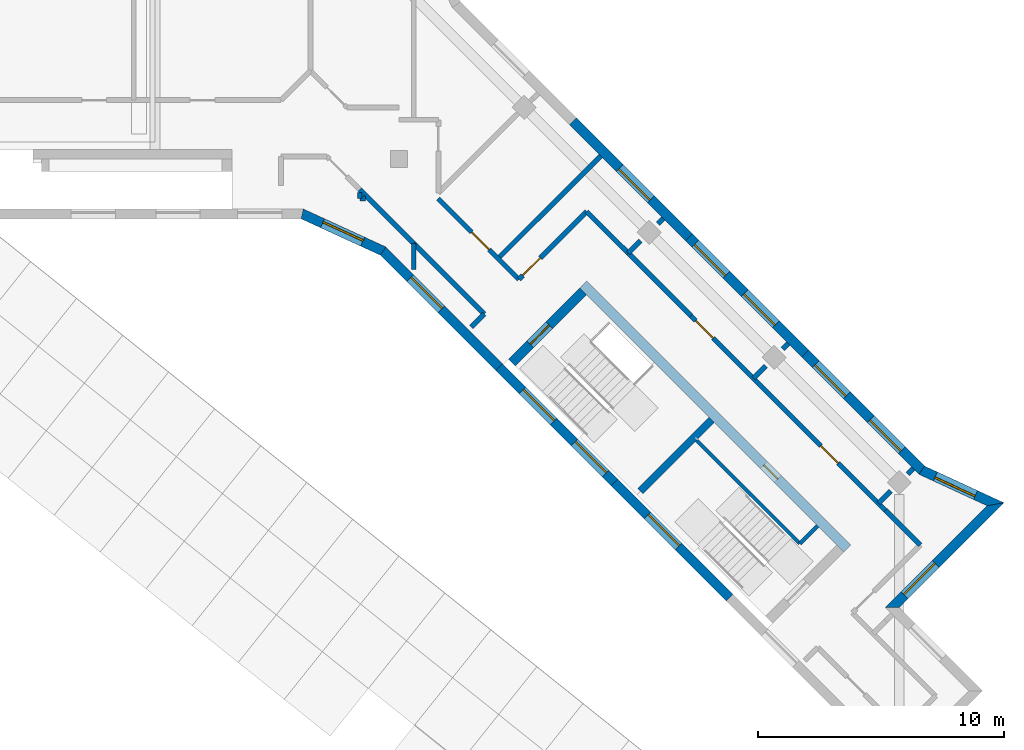
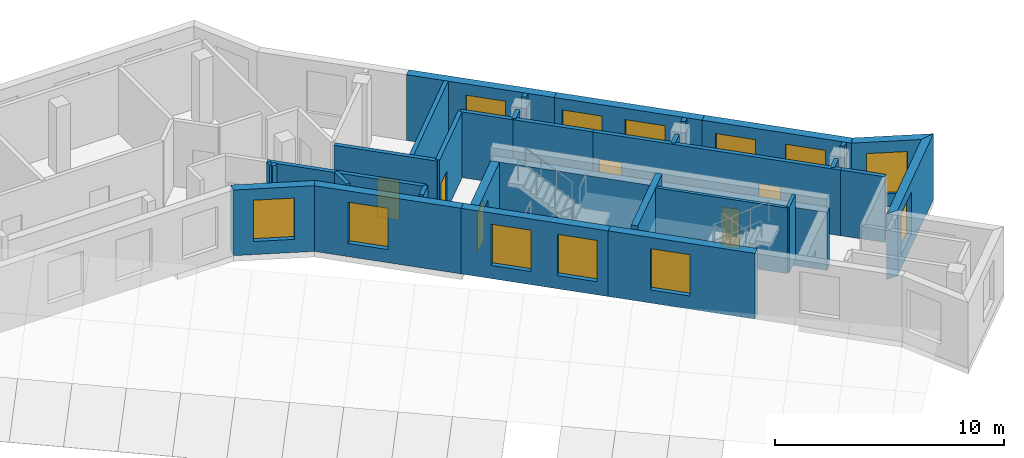
# One storey, part 3 of 6: 33 walls, 12 windows, 6 doors, 18 openings.
"""IFC4 building model written with IfcOpenShell, lengths in metres."""

from ifc_helpers import new_model, si_unit, direction, frame, frame_2d, origin, place, context, subcontext, project, spatial, polyline, rectangle, outline, extrude, material, layer, layer_set, type_object, element, fill, save


model = new_model("IFC4")

# Units and contexts
model_context = context("Model", 3, precision=1e-05, world=origin(), true_north=direction((0.0, 1.0)))
body_context = subcontext(model_context, "Body", "Model", "MODEL_VIEW")
ifc_project = project(units=[si_unit("LENGTHUNIT", "METRE"), si_unit("AREAUNIT", "SQUARE_METRE"), si_unit("VOLUMEUNIT", "CUBIC_METRE"), si_unit("PLANEANGLEUNIT", "RADIAN"), si_unit("MASSUNIT", "GRAM", prefix="KILO")], contexts=[model_context])

# Site, building, storey
site_placement = place(None, origin())
site = spatial("IfcSite", under=ifc_project, at=site_placement, CompositionType="ELEMENT")
building_placement = place(site_placement, origin())
building = spatial("IfcBuilding", under=site, at=building_placement, Name="Windrow Commons", CompositionType="ELEMENT")
storey_placement = place(building_placement, frame((0.0, 0.0, 305.8)))
storey = spatial("IfcBuildingStorey", under=building, at=storey_placement, Name="L83", CompositionType="ELEMENT", Elevation=305.8)

# Wall, openings, doors
ifc_material_1 = material(Name="Blockwork partition", Category="masonry")
ifc_layer_1 = layer(ifc_material_1, 0.2)
ifc_layer_set_1 = layer_set([ifc_layer_1], Name="IW-CORRIDOR-200")
wall_type_1 = type_object("IfcWallType", Name="IW-CORRIDOR-200", PredefinedType="PARTITIONING", material=ifc_layer_set_1)
wall_1_placement = place(storey_placement, frame((91.0769, 58.4209, 0.0), z_axis=(0.0, 0.0, 1.0), x_axis=(0.7070532037, -0.7071603546, 0.0)))
wall_1 = element("IfcWall", 1, at=wall_1_placement, inside=storey, type_object=wall_type_1, Name="W-L83-W001", PredefinedType="PARTITIONING", context=body_context, shape_type="SweptSolid", body=[
    extrude(rectangle(XDim=11.1992, YDim=0.2, at=frame_2d((5.5996, 0.0))), origin(), (0.0, 0.0, 1.0), 3.5),
])
opening_1_placement = place(wall_1_placement, frame((0.2861, 0.0, 0.0)))
opening_1 = element("IfcOpeningElement", 2, at=opening_1_placement, cuts=wall_1, Name="Opening D410F", PredefinedType="OPENING", context=body_context, shape_type="SweptSolid", body=[
    extrude(rectangle(XDim=1.0, YDim=2.1, at=frame_2d((0.5, 1.05))), frame((0.0, 0.11, 0.0), z_axis=(0.0, -1.0, 0.0), x_axis=(1.0, 0.0, 0.0)), (0.0, 0.0, 1.0), 0.22),
])
opening_2_placement = place(wall_1_placement, frame((7.4861, 0.0, 0.0)))
opening_2 = element("IfcOpeningElement", 3, at=opening_2_placement, cuts=wall_1, Name="Opening D410F", PredefinedType="OPENING", context=body_context, shape_type="SweptSolid", body=[
    extrude(rectangle(XDim=1.0, YDim=2.1, at=frame_2d((0.5, 1.05))), frame((0.0, 0.11, 0.0), z_axis=(0.0, -1.0, 0.0), x_axis=(1.0, 0.0, 0.0)), (0.0, 0.0, 1.0), 0.22),
])
ifc_material_2 = material(Name="Timber door leaf", Category="wood")
door_type_1 = type_object("IfcDoorType", Name="DT-SERVICE-1000", OperationType="SINGLE_SWING_LEFT", PredefinedType="DOOR", material=ifc_material_2)
door_1_placement = place(opening_1_placement, origin())
door_1 = element("IfcDoor", 4, at=door_1_placement, inside=storey, type_object=door_type_1, Name="D-L83-D008", OperationType="SINGLE_SWING_LEFT", OverallHeight=2.1, OverallWidth=1.0, PredefinedType="DOOR", context=body_context, shape_type="SweptSolid", body=[
    extrude(rectangle(XDim=1.0, YDim=2.1, at=frame_2d((0.5, 1.05))), frame((0.0, 0.025, 0.0), z_axis=(0.0, -1.0, 0.0), x_axis=(1.0, 0.0, 0.0)), (0.0, 0.0, 1.0), 0.05),
])
fill(opening_1, door_1)
door_2_placement = place(opening_2_placement, origin())
door_2 = element("IfcDoor", 5, at=door_2_placement, inside=storey, type_object=door_type_1, Name="D-L83-D009", OperationType="SINGLE_SWING_LEFT", OverallHeight=2.1, OverallWidth=1.0, PredefinedType="DOOR", context=body_context, shape_type="SweptSolid", body=[
    extrude(rectangle(XDim=1.0, YDim=2.1, at=frame_2d((0.5, 1.05))), frame((0.0, 0.025, 0.0), z_axis=(0.0, -1.0, 0.0), x_axis=(1.0, 0.0, 0.0)), (0.0, 0.0, 1.0), 0.05),
])
fill(opening_2, door_2)

# Wall, opening, door
wall_2_placement = place(storey_placement, frame((80.7865, 63.1945, 0.0), z_axis=(0.0, 0.0, 1.0), x_axis=(0.7071067812, -0.7071067812, 0.0)))
wall_2 = element("IfcWall", 6, at=wall_2_placement, inside=storey, type_object=wall_type_1, Name="W-L83-W007", PredefinedType="PARTITIONING", context=body_context, shape_type="SweptSolid", body=[
    extrude(rectangle(XDim=4.6499, YDim=0.2, at=frame_2d((2.3249, 0.0))), origin(), (0.0, 0.0, 1.0), 3.5),
])
opening_3_placement = place(wall_2_placement, frame((1.9394, 0.0, 0.0)))
opening_3 = element("IfcOpeningElement", 7, at=opening_3_placement, cuts=wall_2, Name="Opening D410F", PredefinedType="OPENING", context=body_context, shape_type="SweptSolid", body=[
    extrude(rectangle(XDim=1.0, YDim=2.1, at=frame_2d((0.5, 1.05))), frame((0.0, 0.11, 0.0), z_axis=(0.0, -1.0, 0.0), x_axis=(1.0, 0.0, 0.0)), (0.0, 0.0, 1.0), 0.22),
])
door_3_placement = place(opening_3_placement, origin())
door_3 = element("IfcDoor", 8, at=door_3_placement, inside=storey, type_object=door_type_1, Name="D-L83-D005", OperationType="SINGLE_SWING_LEFT", OverallHeight=2.1, OverallWidth=1.0, PredefinedType="DOOR", context=body_context, shape_type="SweptSolid", body=[
    extrude(rectangle(XDim=1.0, YDim=2.1, at=frame_2d((0.5, 1.05))), frame((0.0, 0.025, 0.0), z_axis=(0.0, -1.0, 0.0), x_axis=(1.0, 0.0, 0.0)), (0.0, 0.0, 1.0), 0.05),
])
fill(opening_3, door_3)

# Wall
wall_3_placement = place(storey_placement, frame((79.8002, 61.3602, 0.0), z_axis=(0.0, 0.0, 1.0), x_axis=(0.7068599295, -0.7073535467, 0.0)))
element("IfcWall", 9, at=wall_3_placement, inside=storey, type_object=wall_type_1, Name="W-L83-W011", PredefinedType="PARTITIONING", context=body_context, shape_type="SweptSolid", body=[
    extrude(rectangle(XDim=4.0517, YDim=0.2, at=frame_2d((2.0259, 0.0))), origin(), (0.0, 0.0, 1.0), 3.5),
])

# Wall, opening, door
wall_4_placement = place(storey_placement, frame((84.0795, 59.9105, 0.0), z_axis=(0.0, 0.0, 1.0), x_axis=(0.7071067812, 0.7071067812, 0.0)))
wall_4 = element("IfcWall", 10, at=wall_4_placement, inside=storey, type_object=wall_type_1, Name="W-L83-W013", PredefinedType="PARTITIONING", context=body_context, shape_type="SweptSolid", body=[
    extrude(rectangle(XDim=3.8976, YDim=0.2, at=frame_2d((1.9488, 0.0))), origin(), (0.0, 0.0, 1.0), 3.5),
])
opening_4_placement = place(wall_4_placement, frame((0.2194, 0.0, 0.0)))
opening_4 = element("IfcOpeningElement", 11, at=opening_4_placement, cuts=wall_4, Name="Opening D410F", PredefinedType="OPENING", context=body_context, shape_type="SweptSolid", body=[
    extrude(rectangle(XDim=1.0, YDim=2.1, at=frame_2d((0.5, 1.05))), frame((0.0, 0.11, 0.0), z_axis=(0.0, -1.0, 0.0), x_axis=(1.0, 0.0, 0.0)), (0.0, 0.0, 1.0), 0.22),
])
door_4_placement = place(opening_4_placement, origin())
door_4 = element("IfcDoor", 12, at=door_4_placement, inside=storey, type_object=door_type_1, Name="D-L83-D006", OperationType="SINGLE_SWING_RIGHT", OverallHeight=2.1, OverallWidth=1.0, PredefinedType="DOOR", context=body_context, shape_type="SweptSolid", body=[
    extrude(rectangle(XDim=1.0, YDim=2.1, at=frame_2d((0.5, 1.05))), frame((0.0, 0.025, 0.0), z_axis=(0.0, -1.0, 0.0), x_axis=(1.0, 0.0, 0.0)), (0.0, 0.0, 1.0), 0.05),
])
fill(opening_4, door_4)

# Walls
wall_5_placement = place(storey_placement, frame((88.5373, 60.9733, 0.0), z_axis=(0.0, 0.0, 1.0), x_axis=(0.7071067812, -0.7071067812, 0.0)))
element("IfcWall", 13, at=wall_5_placement, inside=storey, type_object=wall_type_1, Name="W-L83-W014", PredefinedType="PARTITIONING", context=body_context, shape_type="SweptSolid", body=[
    extrude(rectangle(XDim=3.6006, YDim=0.2, at=frame_2d((1.8003, 0.0))), origin(), (0.0, 0.0, 1.0), 3.5),
])
wall_6_placement = place(storey_placement, frame((77.6034, 63.5634, 0.0), z_axis=(0.0, 0.0, 1.0), x_axis=(0.7071067812, -0.7071067812, 0.0)))
element("IfcWall", 14, at=wall_6_placement, inside=storey, type_object=wall_type_1, Name="W-L83-W016", PredefinedType="PARTITIONING", context=body_context, shape_type="SweptSolid", body=[
    extrude(rectangle(XDim=3.1113, YDim=0.2, at=frame_2d((1.5556, 0.0))), origin(), (0.0, 0.0, 1.0), 3.5),
])
wall_7_placement = place(storey_placement, frame((86.8333, 62.6633, 0.0), z_axis=(0.0, 0.0, 1.0), x_axis=(0.7075233388, -0.706689978, 0.0)))
element("IfcWall", 15, at=wall_7_placement, inside=storey, type_object=wall_type_1, Name="W-L83-W017", PredefinedType="PARTITIONING", context=body_context, shape_type="SweptSolid", body=[
    extrude(rectangle(XDim=2.3999, YDim=0.2, at=frame_2d((1.2, 0.0))), origin(), (0.0, 0.0, 1.0), 3.5),
])
wall_8_placement = place(storey_placement, frame((98.9983, 50.5043, 0.0), z_axis=(0.0, 0.0, 1.0), x_axis=(0.7076063266, -0.7066068826, 0.0)))
element("IfcWall", 16, at=wall_8_placement, inside=storey, type_object=wall_type_1, Name="W-L83-W020", PredefinedType="PARTITIONING", context=body_context, shape_type="SweptSolid", body=[
    extrude(rectangle(XDim=2.0011, YDim=0.2, at=frame_2d((1.0006, 0.0))), origin(), (0.0, 0.0, 1.0), 3.5),
])
wall_9_placement = place(storey_placement, frame((82.1337, 57.9648, 0.0), z_axis=(0.0, 0.0, 1.0), x_axis=(0.7071735177, 0.7070400384, 0.0)))
element("IfcWall", 17, at=wall_9_placement, inside=storey, type_object=wall_type_1, Name="W-L83-W029", PredefinedType="PARTITIONING", context=body_context, shape_type="SweptSolid", body=[
    extrude(rectangle(XDim=0.7492, YDim=0.2, at=frame_2d((0.3746, 0.0))), origin(), (0.0, 0.0, 1.0), 3.5),
])
for number, where, z_axis, x_axis, name in (
    (18, (77.6, 63.202, 0.0), (0.0, 0.0, 1.0), (0.0, 1.0, 0.0), "W-L83-W040"),
    (19, (77.602, 63.2, 0.0), (0.0, 0.0, 1.0), (1.0, 0.0, 0.0), "W-L83-W041"),
):
    element("IfcWall", number, at=place(storey_placement, frame(where, z_axis=z_axis, x_axis=x_axis)), inside=storey, type_object=wall_type_1, Name=name, PredefinedType="PARTITIONING", context=body_context, shape_type="SweptSolid", body=[
        extrude(rectangle(XDim=0.236, YDim=0.2, at=frame_2d((0.118, 0.0))), origin(), (0.0, 0.0, 1.0), 3.5),
    ])
ifc_material_3 = material(Name="Blockwork partition", Category="masonry")
ifc_layer_2 = layer(ifc_material_3, 0.2)
ifc_layer_set_2 = layer_set([ifc_layer_2], Name="IW-PARTY-200")
wall_type_2 = type_object("IfcWallType", Name="IW-PARTY-200", PredefinedType="PARTITIONING", material=ifc_layer_set_2)
wall_10_placement = place(storey_placement, frame((79.8, 60.2984, 0.0), z_axis=(0.0, 0.0, 1.0), x_axis=(0.0, 1.0, 0.0)))
element("IfcWall", 20, at=wall_10_placement, inside=storey, type_object=wall_type_2, Name="W-L83-W024", PredefinedType="PARTITIONING", context=body_context, shape_type="SweptSolid", body=[
    extrude(rectangle(XDim=1.0616, YDim=0.2, at=frame_2d((0.5308, 0.0))), origin(), (0.0, 0.0, 1.0), 3.5),
])
for number, where, z_axis, x_axis, name in (
    (21, (93.6237, 55.8783, 0.0), (0.0, 0.0, 1.0), (0.7071067812, 0.7071067812, 0.0), "W-L83-W031"),
    (22, (98.7148, 50.7872, 0.0), (0.0, 0.0, 1.0), (0.7071067812, 0.7071067812, 0.0), "W-L83-W032"),
):
    element("IfcWall", number, at=place(storey_placement, frame(where, z_axis=z_axis, x_axis=x_axis)), inside=storey, type_object=wall_type_2, Name=name, PredefinedType="PARTITIONING", context=body_context, shape_type="SweptSolid", body=[
        extrude(rectangle(XDim=0.7071, YDim=0.2, at=frame_2d((0.3535, 0.0))), origin(), (0.0, 0.0, 1.0), 3.5),
    ])
wall_11_placement = place(storey_placement, frame((88.5335, 60.9705, 0.0), z_axis=(0.0, 0.0, 1.0), x_axis=(0.7071067812, 0.7071067812, 0.0)))
element("IfcWall", 23, at=wall_11_placement, inside=storey, type_object=wall_type_2, Name="W-L83-W033", PredefinedType="PARTITIONING", context=body_context, shape_type="SweptSolid", body=[
    extrude(rectangle(XDim=0.7043, YDim=0.2, at=frame_2d((0.3522, 0.0))), origin(), (0.0, 0.0, 1.0), 3.5),
])
wall_12_placement = place(storey_placement, frame((83.2323, 60.7557, 0.0), z_axis=(0.0, 0.0, 1.0), x_axis=(0.7072593155, 0.706954214, 0.0)))
element("IfcWall", 24, at=wall_12_placement, inside=storey, type_object=wall_type_2, Name="W-L83-W004", PredefinedType="PARTITIONING", context=body_context, shape_type="SweptSolid", body=[
    extrude(outline(polyline([(0.0, -0.1), (5.8997, -0.1), (5.8997, 0.1), (0.0, 0.1), (0.0, -0.1)])), origin(), (0.0, 0.0, 1.0), 3.5),
])
for number, where, z_axis, x_axis, name in (
    (25, (94.8217, 57.0763, 0.0), (0.0, 0.0, 1.0), (0.7071067812, 0.7071067812, 0.0), "W-L83-W035"),
    (26, (99.9128, 51.9852, 0.0), (0.0, 0.0, 1.0), (0.7072698781, 0.7069436466, 0.0), "W-L83-W036"),
):
    element("IfcWall", number, at=place(storey_placement, frame(where, z_axis=z_axis, x_axis=x_axis)), inside=storey, type_object=wall_type_2, Name=name, PredefinedType="PARTITIONING", context=body_context, shape_type="SweptSolid", body=[
        extrude(outline(polyline([(0.0, -0.1), (0.3065, -0.1), (0.3065, 0.1), (0.0, 0.1), (0.0, -0.1)])), origin(), (0.0, 0.0, 1.0), 3.5),
    ])
wall_13_placement = place(storey_placement, frame((89.7343, 62.1657, 0.0), z_axis=(0.0, 0.0, 1.0), x_axis=(0.7089070674, 0.7053018997, 0.0)))
element("IfcWall", 27, at=wall_13_placement, inside=storey, type_object=wall_type_2, Name="W-L83-W038", PredefinedType="PARTITIONING", context=body_context, shape_type="SweptSolid", body=[
    extrude(outline(polyline([(0.0, -0.1), (0.3051, -0.1), (0.3051, 0.1), (0.0, 0.1), (0.0, -0.1)])), origin(), (0.0, 0.0, 1.0), 3.5),
])

# Wall, opening, door
ifc_material_4 = material(Name="Concrete C40/50", Category="concrete")
ifc_layer_3 = layer(ifc_material_4, 0.4)
ifc_layer_set_3 = layer_set([ifc_layer_3], Name="RC CORE WALL 400 C40/50")
wall_type_3 = type_object("IfcWallType", Name="RC CORE WALL 400 C40/50", PredefinedType="SHEAR", material=ifc_layer_set_3)
wall_14_placement = place(storey_placement, frame((86.6953, 59.6963, -0.3), z_axis=(0.0, 0.0, 1.0), x_axis=(0.7071100706, -0.7071034917, 0.0)))
wall_14 = element("IfcWall", 28, at=wall_14_placement, inside=storey, type_object=wall_type_3, Name="Core B wall outer-N", PredefinedType="SHEAR", context=body_context, shape_type="SweptSolid", body=[
    extrude(outline(polyline([(0.0, 0.0), (15.2, 0.0), (15.2, 3.1), (0.0, 3.1), (0.0, 0.0)])), frame((0.0, 0.2, 0.0), z_axis=(0.0, -1.0, 0.0), x_axis=(1.0, 0.0, 0.0)), (0.0, 0.0, 1.0), 0.4),
])
opening_5_placement = place(wall_14_placement, frame((10.4, 0.0, 0.3)))
opening_5 = element("IfcOpeningElement", 29, at=opening_5_placement, cuts=wall_14, Name="Opening D9", PredefinedType="OPENING", context=body_context, shape_type="SweptSolid", body=[
    extrude(rectangle(XDim=0.8, YDim=2.1, at=frame_2d((0.4, 1.05))), frame((0.0, 0.21, 0.0), z_axis=(0.0, -1.0, 0.0), x_axis=(1.0, 0.0, 0.0)), (0.0, 0.0, 1.0), 0.42),
])
ifc_material_5 = material(Name="Steel fire door leaf", Category="steel")
door_type_2 = type_object("IfcDoorType", Name="Riser access door 800", OperationType="SINGLE_SWING_LEFT", PredefinedType="DOOR", material=ifc_material_5)
door_5_placement = place(opening_5_placement, origin())
door_5 = element("IfcDoor", 30, at=door_5_placement, inside=storey, type_object=door_type_2, Name="Riser access door", OperationType="SINGLE_SWING_RIGHT", OverallHeight=2.1, OverallWidth=0.8, PredefinedType="DOOR", context=body_context, shape_type="SweptSolid", body=[
    extrude(rectangle(XDim=0.8, YDim=2.1, at=frame_2d((0.4, 1.05))), frame((0.0, 0.025, 0.0), z_axis=(0.0, -1.0, 0.0), x_axis=(1.0, 0.0, 0.0)), (0.0, 0.0, 1.0), 0.05),
])
fill(opening_5, door_5)

wall_15_placement = place(storey_placement, frame((83.7962, 56.5144, -0.3), z_axis=(0.0, 0.0, 1.0), x_axis=(0.7071067812, 0.7071067812, 0.0)))
wall_15 = element("IfcWall", 31, at=wall_15_placement, inside=storey, type_object=wall_type_3, Name="Core B wall outer-W", PredefinedType="SHEAR", context=body_context, shape_type="SweptSolid", body=[
    extrude(outline(polyline([(0.0, 0.0), (4.0999, 0.0), (4.1, 3.1), (0.0, 3.1), (0.0, 0.0)])), frame((0.0, 0.2, 0.0), z_axis=(0.0, -1.0, 0.0), x_axis=(1.0, 0.0, 0.0)), (0.0, 0.0, 1.0), 0.4),
])
opening_6_placement = place(wall_15_placement, frame((1.05, 0.0, 0.3)))
opening_6 = element("IfcOpeningElement", 32, at=opening_6_placement, cuts=wall_15, Name="Opening D7", PredefinedType="OPENING", context=body_context, shape_type="SweptSolid", body=[
    extrude(rectangle(XDim=1.1, YDim=2.1, at=frame_2d((0.55, 1.05))), frame((0.0, 0.21, 0.0), z_axis=(0.0, -1.0, 0.0), x_axis=(1.0, 0.0, 0.0)), (0.0, 0.0, 1.0), 0.42),
])
ifc_material_6 = material(Name="Steel fire door leaf", Category="steel")
door_type_3 = type_object("IfcDoorType", Name="Stair door 1100", OperationType="SINGLE_SWING_LEFT", PredefinedType="DOOR", material=ifc_material_6)
door_6_placement = place(opening_6_placement, origin())
door_6 = element("IfcDoor", 33, at=door_6_placement, inside=storey, type_object=door_type_3, Name="Stair door", OperationType="SINGLE_SWING_LEFT", OverallHeight=2.1, OverallWidth=1.1, PredefinedType="DOOR", context=body_context, shape_type="SweptSolid", body=[
    extrude(rectangle(XDim=1.1, YDim=2.1, at=frame_2d((0.55, 1.05))), frame((0.0, 0.025, 0.0), z_axis=(0.0, -1.0, 0.0), x_axis=(1.0, 0.0, 0.0)), (0.0, 0.0, 1.0), 0.05),
])
fill(opening_6, door_6)

# Walls
ifc_material_7 = material(Name="Concrete C40/50", Category="concrete")
ifc_layer_4 = layer(ifc_material_7, 0.3)
ifc_layer_set_4 = layer_set([ifc_layer_4], Name="RC SHAFT WALL 300 C40/50")
wall_type_4 = type_object("IfcWallType", Name="RC SHAFT WALL 300 C40/50", PredefinedType="SOLIDWALL", material=ifc_layer_set_4)
wall_16_placement = place(storey_placement, frame((89.0288, 51.2818, 0.0), z_axis=(0.0, 0.0, 1.0), x_axis=(0.7071067812, 0.7071067812, 0.0)))
element("IfcWall", 34, at=wall_16_placement, inside=storey, type_object=wall_type_4, Name="Core B wall stair-mid", PredefinedType="SOLIDWALL", context=body_context, shape_type="SweptSolid", body=[
    extrude(outline(polyline([(0.0, 0.0), (4.0999, 0.0), (4.1, 3.5), (0.0, 3.5), (0.0, 0.0)])), frame((0.0, 0.15, 0.0), z_axis=(0.0, -1.0, 0.0), x_axis=(1.0, 0.0, 0.0)), (0.0, 0.0, 1.0), 0.3),
])
ifc_material_8 = material(Name="Blockwork partition", Category="masonry")
ifc_layer_5 = layer(ifc_material_8, 0.15)
ifc_layer_set_5 = layer_set([ifc_layer_5], Name="Riser partition 150")
wall_type_5 = type_object("IfcWallType", Name="Riser partition 150", PredefinedType="PARTITIONING", material=ifc_layer_set_5)
wall_17_placement = place(storey_placement, frame((91.3127, 53.3536, 0.0), z_axis=(0.0, 0.0, 1.0), x_axis=(0.7071067812, -0.7071067812, 0.0)))
element("IfcWall", 35, at=wall_17_placement, inside=storey, type_object=wall_type_5, Name="W-core-strip-B-L83", PredefinedType="PARTITIONING", context=body_context, shape_type="SweptSolid", body=[
    extrude(outline(polyline([(0.0, 0.0), (5.95, 0.0), (5.95, 3.5), (0.0, 3.5), (0.0, 0.0)])), frame((0.0, 0.075, 0.0), z_axis=(0.0, -1.0, 0.0), x_axis=(1.0, 0.0, 0.0)), (0.0, 0.0, 1.0), 0.15),
])
wall_18_placement = place(storey_placement, frame((95.52, 49.1463, 0.0), z_axis=(0.0, 0.0, 1.0), x_axis=(0.7071067812, 0.7071067812, 0.0)))
element("IfcWall", 36, at=wall_18_placement, inside=storey, type_object=wall_type_5, Name="W-core-stripx-B-L83-1", PredefinedType="PARTITIONING", context=body_context, shape_type="SweptSolid", body=[
    extrude(outline(polyline([(0.0, 0.0), (1.0201, 0.0), (1.0201, 3.5), (0.0, 3.5), (0.0, 0.0)])), frame((0.0, 0.075, 0.0), z_axis=(0.0, -1.0, 0.0), x_axis=(1.0, 0.0, 0.0)), (0.0, 0.0, 1.0), 0.15),
])

# Wall, opening, window
ifc_material_9 = material(Name="Standing seam zinc cladding on insulated masonry backing", Category="masonry")
ifc_layer_6 = layer(ifc_material_9, 0.4)
ifc_layer_set_6 = layer_set([ifc_layer_6], Name="Zinc clad crown wall 400")
wall_type_6 = type_object("IfcWallType", Name="Zinc clad crown wall 400", PredefinedType="SOLIDWALL", material=ifc_layer_set_6)
wall_19_placement = place(storey_placement, frame((99.2819, 46.5442, 0.0), z_axis=(0.0, 0.0, 1.0), x_axis=(0.7071067812, 0.7071067812, 0.0)))
wall_19 = element("IfcWall", 37, at=wall_19_placement, inside=storey, type_object=wall_type_6, Name="Brick facade wall L83 2", PredefinedType="SOLIDWALL", context=body_context, shape_type="SweptSolid", body=[
    extrude(outline(polyline([(0.2, -0.2), (6.23, -0.2), (5.6565, 0.2), (-0.2, 0.2), (0.2, -0.2)])), origin(), (0.0, 0.0, 1.0), 3.5),
])
opening_7_placement = place(wall_19_placement, frame((0.7, 0.0, 0.7)))
opening_7 = element("IfcOpeningElement", 38, at=opening_7_placement, cuts=wall_19, Name="Opening W6", PredefinedType="OPENING", context=body_context, shape_type="SweptSolid", body=[
    extrude(rectangle(XDim=1.8, YDim=2.2, at=frame_2d((0.9, 1.1))), frame((0.0, 0.21, 0.0), z_axis=(0.0, -1.0, 0.0), x_axis=(1.0, 0.0, 0.0)), (0.0, 0.0, 1.0), 0.42),
])
ifc_material_10 = material(Name="Clear float glass in anodised aluminium frame", Category="aluminium")
window_type = type_object("IfcWindowType", Name="Window W6 crown 1800x2200", PartitioningType="SINGLE_PANEL", PredefinedType="WINDOW", material=ifc_material_10)
window_1_placement = place(opening_7_placement, origin())
window_1 = element("IfcWindow", 39, at=window_1_placement, inside=storey, type_object=window_type, Name="Window L83 2.1", OverallHeight=2.2, OverallWidth=1.8, PartitioningType="SINGLE_PANEL", PredefinedType="WINDOW", context=body_context, shape_type="SweptSolid", body=[
    extrude(rectangle(XDim=1.8, YDim=2.2, at=frame_2d((0.9, 1.1))), frame((0.0, 0.08, 0.0), z_axis=(0.0, -1.0, 0.0), x_axis=(1.0, 0.0, 0.0)), (0.0, 0.0, 1.0), 0.06),
])
fill(opening_7, window_1)

wall_20_placement = place(storey_placement, frame((103.4844, 50.7467, 0.0), z_axis=(0.0, 0.0, 1.0), x_axis=(-0.9078558767, 0.4192823716, 0.0)))
wall_20 = element("IfcWall", 40, at=wall_20_placement, inside=storey, type_object=wall_type_6, Name="Brick facade wall L83 3", PredefinedType="SOLIDWALL", context=body_context, shape_type="SweptSolid", body=[
    extrude(outline(polyline([(-0.2868, -0.2), (3.2735, -0.2), (3.3448, 0.2), (0.2868, 0.2), (-0.2868, -0.2)])), origin(), (0.0, 0.0, 1.0), 3.5),
])
opening_8_placement = place(wall_20_placement, frame((0.898, 0.0, 0.7)))
opening_8 = element("IfcOpeningElement", 41, at=opening_8_placement, cuts=wall_20, Name="Opening W6", PredefinedType="OPENING", context=body_context, shape_type="SweptSolid", body=[
    extrude(rectangle(XDim=1.8, YDim=2.2, at=frame_2d((0.9, 1.1))), frame((0.0, 0.21, 0.0), z_axis=(0.0, -1.0, 0.0), x_axis=(1.0, 0.0, 0.0)), (0.0, 0.0, 1.0), 0.42),
])
window_2_placement = place(opening_8_placement, origin())
window_2 = element("IfcWindow", 42, at=window_2_placement, inside=storey, type_object=window_type, Name="Window L83 3.1", OverallHeight=2.2, OverallWidth=1.8, PartitioningType="SINGLE_PANEL", PredefinedType="WINDOW", context=body_context, shape_type="SweptSolid", body=[
    extrude(rectangle(XDim=1.8, YDim=2.2, at=frame_2d((0.9, 1.1))), frame((0.0, 0.08, 0.0), z_axis=(0.0, -1.0, 0.0), x_axis=(1.0, 0.0, 0.0)), (0.0, 0.0, 1.0), 0.06),
])
fill(opening_8, window_2)

# Wall, openings, windows
wall_21_placement = place(storey_placement, frame((100.4801, 52.1342, 0.0), z_axis=(0.0, 0.0, 1.0), x_axis=(-0.7071067812, 0.7071067812, 0.0)))
wall_21 = element("IfcWall", 43, at=wall_21_placement, inside=storey, type_object=wall_type_6, Name="Brick facade wall L83 4", PredefinedType="SOLIDWALL", context=body_context, shape_type="SweptSolid", body=[
    extrude(outline(polyline([(0.0356, -0.2), (6.7178, -0.2), (6.7178, 0.2), (-0.0356, 0.2), (0.0356, -0.2)])), origin(), (0.0, 0.0, 1.0), 3.5),
])
opening_9_placement = place(wall_21_placement, frame((1.1473, 0.0, 0.7)))
opening_9 = element("IfcOpeningElement", 44, at=opening_9_placement, cuts=wall_21, Name="Opening W6", PredefinedType="OPENING", context=body_context, shape_type="SweptSolid", body=[
    extrude(rectangle(XDim=1.8, YDim=2.2, at=frame_2d((0.9, 1.1))), frame((0.0, 0.21, 0.0), z_axis=(0.0, -1.0, 0.0), x_axis=(1.0, 0.0, 0.0)), (0.0, 0.0, 1.0), 0.42),
])
opening_10_placement = place(wall_21_placement, frame((4.3062, 0.0, 0.7)))
opening_10 = element("IfcOpeningElement", 45, at=opening_10_placement, cuts=wall_21, Name="Opening W6", PredefinedType="OPENING", context=body_context, shape_type="SweptSolid", body=[
    extrude(rectangle(XDim=1.8, YDim=2.2, at=frame_2d((0.9, 1.1))), frame((0.0, 0.21, 0.0), z_axis=(0.0, -1.0, 0.0), x_axis=(1.0, 0.0, 0.0)), (0.0, 0.0, 1.0), 0.42),
])
window_3_placement = place(opening_9_placement, origin())
window_3 = element("IfcWindow", 46, at=window_3_placement, inside=storey, type_object=window_type, Name="Window L83 4.1", OverallHeight=2.2, OverallWidth=1.8, PartitioningType="SINGLE_PANEL", PredefinedType="WINDOW", context=body_context, shape_type="SweptSolid", body=[
    extrude(rectangle(XDim=1.8, YDim=2.2, at=frame_2d((0.9, 1.1))), frame((0.0, 0.08, 0.0), z_axis=(0.0, -1.0, 0.0), x_axis=(1.0, 0.0, 0.0)), (0.0, 0.0, 1.0), 0.06),
])
fill(opening_9, window_3)
window_4_placement = place(opening_10_placement, origin())
window_4 = element("IfcWindow", 47, at=window_4_placement, inside=storey, type_object=window_type, Name="Window L83 4.2", OverallHeight=2.2, OverallWidth=1.8, PartitioningType="SINGLE_PANEL", PredefinedType="WINDOW", context=body_context, shape_type="SweptSolid", body=[
    extrude(rectangle(XDim=1.8, YDim=2.2, at=frame_2d((0.9, 1.1))), frame((0.0, 0.08, 0.0), z_axis=(0.0, -1.0, 0.0), x_axis=(1.0, 0.0, 0.0)), (0.0, 0.0, 1.0), 0.06),
])
fill(opening_10, window_4)

wall_22_placement = place(storey_placement, frame((95.7299, 56.8844, 0.0), z_axis=(0.0, 0.0, 1.0), x_axis=(-0.7071067812, 0.7071067812, 0.0)))
wall_22 = element("IfcWall", 48, at=wall_22_placement, inside=storey, type_object=wall_type_6, Name="Brick facade wall L83 5", PredefinedType="SOLIDWALL", context=body_context, shape_type="SweptSolid", body=[
    extrude(outline(polyline([(0.0, -0.2), (6.6821, -0.2), (6.6821, 0.2), (0.0, 0.2), (0.0, -0.2)])), origin(), (0.0, 0.0, 1.0), 3.5),
])
opening_11_placement = place(wall_22_placement, frame((1.6768, 0.0, 0.7)))
opening_11 = element("IfcOpeningElement", 49, at=opening_11_placement, cuts=wall_22, Name="Opening W6", PredefinedType="OPENING", context=body_context, shape_type="SweptSolid", body=[
    extrude(rectangle(XDim=1.8, YDim=2.2, at=frame_2d((0.9, 1.1))), frame((0.0, 0.21, 0.0), z_axis=(0.0, -1.0, 0.0), x_axis=(1.0, 0.0, 0.0)), (0.0, 0.0, 1.0), 0.42),
])
opening_12_placement = place(wall_22_placement, frame((4.5295, 0.0, 0.7)))
opening_12 = element("IfcOpeningElement", 50, at=opening_12_placement, cuts=wall_22, Name="Opening W6", PredefinedType="OPENING", context=body_context, shape_type="SweptSolid", body=[
    extrude(rectangle(XDim=1.8, YDim=2.2, at=frame_2d((0.9, 1.1))), frame((0.0, 0.21, 0.0), z_axis=(0.0, -1.0, 0.0), x_axis=(1.0, 0.0, 0.0)), (0.0, 0.0, 1.0), 0.42),
])
window_5_placement = place(opening_11_placement, origin())
window_5 = element("IfcWindow", 51, at=window_5_placement, inside=storey, type_object=window_type, Name="Window L83 5.1", OverallHeight=2.2, OverallWidth=1.8, PartitioningType="SINGLE_PANEL", PredefinedType="WINDOW", context=body_context, shape_type="SweptSolid", body=[
    extrude(rectangle(XDim=1.8, YDim=2.2, at=frame_2d((0.9, 1.1))), frame((0.0, 0.08, 0.0), z_axis=(0.0, -1.0, 0.0), x_axis=(1.0, 0.0, 0.0)), (0.0, 0.0, 1.0), 0.06),
])
fill(opening_11, window_5)
window_6_placement = place(opening_12_placement, origin())
window_6 = element("IfcWindow", 52, at=window_6_placement, inside=storey, type_object=window_type, Name="Window L83 5.2", OverallHeight=2.2, OverallWidth=1.8, PartitioningType="SINGLE_PANEL", PredefinedType="WINDOW", context=body_context, shape_type="SweptSolid", body=[
    extrude(rectangle(XDim=1.8, YDim=2.2, at=frame_2d((0.9, 1.1))), frame((0.0, 0.08, 0.0), z_axis=(0.0, -1.0, 0.0), x_axis=(1.0, 0.0, 0.0)), (0.0, 0.0, 1.0), 0.06),
])
fill(opening_12, window_6)

# Wall, opening, window
wall_23_placement = place(storey_placement, frame((91.0049, 61.6094, 0.0), z_axis=(0.0, 0.0, 1.0), x_axis=(-0.7071142638, 0.7070992985, 0.0)))
wall_23 = element("IfcWall", 53, at=wall_23_placement, inside=storey, type_object=wall_type_6, Name="Brick facade wall L83 6", PredefinedType="SOLIDWALL", context=body_context, shape_type="SweptSolid", body=[
    extrude(outline(polyline([(0.0, -0.2), (6.6821, -0.2), (6.6821, 0.2), (0.0, 0.2), (0.0, -0.2)])), origin(), (0.0, 0.0, 1.0), 3.5),
])
opening_13_placement = place(wall_23_placement, frame((2.1946, 0.0, 0.7)))
opening_13 = element("IfcOpeningElement", 54, at=opening_13_placement, cuts=wall_23, Name="Opening W6", PredefinedType="OPENING", context=body_context, shape_type="SweptSolid", body=[
    extrude(rectangle(XDim=1.8, YDim=2.2, at=frame_2d((0.9, 1.1))), frame((0.0, 0.21, 0.0), z_axis=(0.0, -1.0, 0.0), x_axis=(1.0, 0.0, 0.0)), (0.0, 0.0, 1.0), 0.42),
])
window_7_placement = place(opening_13_placement, origin())
window_7 = element("IfcWindow", 55, at=window_7_placement, inside=storey, type_object=window_type, Name="Window L83 6.1", OverallHeight=2.2, OverallWidth=1.8, PartitioningType="SINGLE_PANEL", PredefinedType="WINDOW", context=body_context, shape_type="SweptSolid", body=[
    extrude(rectangle(XDim=1.8, YDim=2.2, at=frame_2d((0.9, 1.1))), frame((0.0, 0.08, 0.0), z_axis=(0.0, -1.0, 0.0), x_axis=(1.0, 0.0, 0.0)), (0.0, 0.0, 1.0), 0.06),
])
fill(opening_13, window_7)

wall_24_placement = place(storey_placement, frame((75.2579, 62.567, 0.0), z_axis=(0.0, 0.0, 1.0), x_axis=(0.9086839234, -0.417484763, 0.0)))
wall_24 = element("IfcWall", 56, at=wall_24_placement, inside=storey, type_object=wall_type_6, Name="Brick facade wall L83 12", PredefinedType="SOLIDWALL", context=body_context, shape_type="SweptSolid", body=[
    extrude(outline(polyline([(0.0437, -0.2), (3.5849, -0.2), (3.6566, 0.2), (-0.0437, 0.2), (0.0437, -0.2)])), origin(), (0.0, 0.0, 1.0), 3.5),
])
opening_14_placement = place(wall_24_placement, frame((0.9104, 0.0, 0.7)))
opening_14 = element("IfcOpeningElement", 57, at=opening_14_placement, cuts=wall_24, Name="Opening W6", PredefinedType="OPENING", context=body_context, shape_type="SweptSolid", body=[
    extrude(rectangle(XDim=1.8, YDim=2.2, at=frame_2d((0.9, 1.1))), frame((0.0, 0.21, 0.0), z_axis=(0.0, -1.0, 0.0), x_axis=(1.0, 0.0, 0.0)), (0.0, 0.0, 1.0), 0.42),
])
window_8_placement = place(opening_14_placement, origin())
window_8 = element("IfcWindow", 58, at=window_8_placement, inside=storey, type_object=window_type, Name="Window L83 12.1", OverallHeight=2.2, OverallWidth=1.8, PartitioningType="SINGLE_PANEL", PredefinedType="WINDOW", context=body_context, shape_type="SweptSolid", body=[
    extrude(rectangle(XDim=1.8, YDim=2.2, at=frame_2d((0.9, 1.1))), frame((0.0, 0.08, 0.0), z_axis=(0.0, -1.0, 0.0), x_axis=(1.0, 0.0, 0.0)), (0.0, 0.0, 1.0), 0.06),
])
fill(opening_14, window_8)

wall_25_placement = place(storey_placement, frame((78.548, 61.0554, 0.0), z_axis=(0.0, 0.0, 1.0), x_axis=(0.7071067812, -0.7071067812, 0.0)))
wall_25 = element("IfcWall", 59, at=wall_25_placement, inside=storey, type_object=wall_type_6, Name="Brick facade wall L83 13", PredefinedType="SOLIDWALL", context=body_context, shape_type="SweptSolid", body=[
    extrude(outline(polyline([(0.0359, -0.2), (6.6772, -0.2), (6.6772, 0.2), (-0.0359, 0.2), (0.0359, -0.2)])), origin(), (0.0, 0.0, 1.0), 3.5),
])
opening_15_placement = place(wall_25_placement, frame((1.561, 0.0, 0.7)))
opening_15 = element("IfcOpeningElement", 60, at=opening_15_placement, cuts=wall_25, Name="Opening W6", PredefinedType="OPENING", context=body_context, shape_type="SweptSolid", body=[
    extrude(rectangle(XDim=1.8, YDim=2.2, at=frame_2d((0.9, 1.1))), frame((0.0, 0.21, 0.0), z_axis=(0.0, -1.0, 0.0), x_axis=(1.0, 0.0, 0.0)), (0.0, 0.0, 1.0), 0.42),
])
window_9_placement = place(opening_15_placement, origin())
window_9 = element("IfcWindow", 61, at=window_9_placement, inside=storey, type_object=window_type, Name="Window L83 13.1", OverallHeight=2.2, OverallWidth=1.8, PartitioningType="SINGLE_PANEL", PredefinedType="WINDOW", context=body_context, shape_type="SweptSolid", body=[
    extrude(rectangle(XDim=1.8, YDim=2.2, at=frame_2d((0.9, 1.1))), frame((0.0, 0.08, 0.0), z_axis=(0.0, -1.0, 0.0), x_axis=(1.0, 0.0, 0.0)), (0.0, 0.0, 1.0), 0.06),
])
fill(opening_15, window_9)

# Wall, openings, windows
wall_26_placement = place(storey_placement, frame((83.2695, 56.3339, 0.0), z_axis=(0.0, 0.0, 1.0), x_axis=(0.7071067812, -0.7071067812, 0.0)))
wall_26 = element("IfcWall", 62, at=wall_26_placement, inside=storey, type_object=wall_type_6, Name="Brick facade wall L83 14", PredefinedType="SOLIDWALL", context=body_context, shape_type="SweptSolid", body=[
    extrude(outline(polyline([(0.0, -0.2), (6.6414, -0.2), (6.6414, 0.2), (0.0, 0.2), (0.0, -0.2)])), origin(), (0.0, 0.0, 1.0), 3.5),
])
opening_16_placement = place(wall_26_placement, frame((1.3448, 0.0, 0.7)))
opening_16 = element("IfcOpeningElement", 63, at=opening_16_placement, cuts=wall_26, Name="Opening W6", PredefinedType="OPENING", context=body_context, shape_type="SweptSolid", body=[
    extrude(rectangle(XDim=1.8, YDim=2.2, at=frame_2d((0.9, 1.1))), frame((0.0, 0.21, 0.0), z_axis=(0.0, -1.0, 0.0), x_axis=(1.0, 0.0, 0.0)), (0.0, 0.0, 1.0), 0.42),
])
opening_17_placement = place(wall_26_placement, frame((4.3431, 0.0, 0.7)))
opening_17 = element("IfcOpeningElement", 64, at=opening_17_placement, cuts=wall_26, Name="Opening W6", PredefinedType="OPENING", context=body_context, shape_type="SweptSolid", body=[
    extrude(rectangle(XDim=1.8, YDim=2.2, at=frame_2d((0.9, 1.1))), frame((0.0, 0.21, 0.0), z_axis=(0.0, -1.0, 0.0), x_axis=(1.0, 0.0, 0.0)), (0.0, 0.0, 1.0), 0.42),
])
window_10_placement = place(opening_16_placement, origin())
window_10 = element("IfcWindow", 65, at=window_10_placement, inside=storey, type_object=window_type, Name="Window L83 14.1", OverallHeight=2.2, OverallWidth=1.8, PartitioningType="SINGLE_PANEL", PredefinedType="WINDOW", context=body_context, shape_type="SweptSolid", body=[
    extrude(rectangle(XDim=1.8, YDim=2.2, at=frame_2d((0.9, 1.1))), frame((0.0, 0.08, 0.0), z_axis=(0.0, -1.0, 0.0), x_axis=(1.0, 0.0, 0.0)), (0.0, 0.0, 1.0), 0.06),
])
fill(opening_16, window_10)
window_11_placement = place(opening_17_placement, origin())
window_11 = element("IfcWindow", 66, at=window_11_placement, inside=storey, type_object=window_type, Name="Window L83 14.2", OverallHeight=2.2, OverallWidth=1.8, PartitioningType="SINGLE_PANEL", PredefinedType="WINDOW", context=body_context, shape_type="SweptSolid", body=[
    extrude(rectangle(XDim=1.8, YDim=2.2, at=frame_2d((0.9, 1.1))), frame((0.0, 0.08, 0.0), z_axis=(0.0, -1.0, 0.0), x_axis=(1.0, 0.0, 0.0)), (0.0, 0.0, 1.0), 0.06),
])
fill(opening_17, window_11)

# Wall, opening, window
wall_27_placement = place(storey_placement, frame((87.9657, 51.6377, 0.0), z_axis=(0.0, 0.0, 1.0), x_axis=(0.7071143097, -0.7070992526, 0.0)))
wall_27 = element("IfcWall", 67, at=wall_27_placement, inside=storey, type_object=wall_type_6, Name="Brick facade wall L83 15", PredefinedType="SOLIDWALL", context=body_context, shape_type="SweptSolid", body=[
    extrude(outline(polyline([(0.0, -0.2), (6.6414, -0.2), (6.6414, 0.2), (0.0, 0.2), (0.0, -0.2)])), origin(), (0.0, 0.0, 1.0), 3.5),
])
opening_18_placement = place(wall_27_placement, frame((1.9034, 0.0, 0.7)))
opening_18 = element("IfcOpeningElement", 68, at=opening_18_placement, cuts=wall_27, Name="Opening W6", PredefinedType="OPENING", context=body_context, shape_type="SweptSolid", body=[
    extrude(rectangle(XDim=1.8, YDim=2.2, at=frame_2d((0.9, 1.1))), frame((0.0, 0.21, 0.0), z_axis=(0.0, -1.0, 0.0), x_axis=(1.0, 0.0, 0.0)), (0.0, 0.0, 1.0), 0.42),
])
window_12_placement = place(opening_18_placement, origin())
window_12 = element("IfcWindow", 69, at=window_12_placement, inside=storey, type_object=window_type, Name="Window L83 15.1", OverallHeight=2.2, OverallWidth=1.8, PartitioningType="SINGLE_PANEL", PredefinedType="WINDOW", context=body_context, shape_type="SweptSolid", body=[
    extrude(rectangle(XDim=1.8, YDim=2.2, at=frame_2d((0.9, 1.1))), frame((0.0, 0.08, 0.0), z_axis=(0.0, -1.0, 0.0), x_axis=(1.0, 0.0, 0.0)), (0.0, 0.0, 1.0), 0.06),
])
fill(opening_18, window_12)

save(model, "model.ifc")
